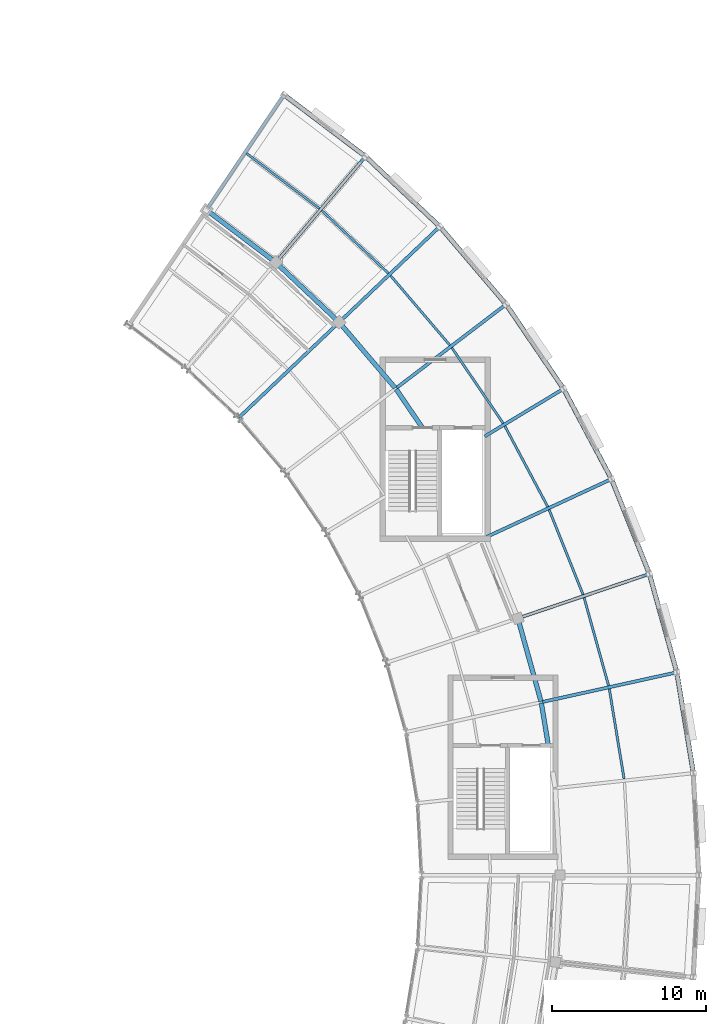
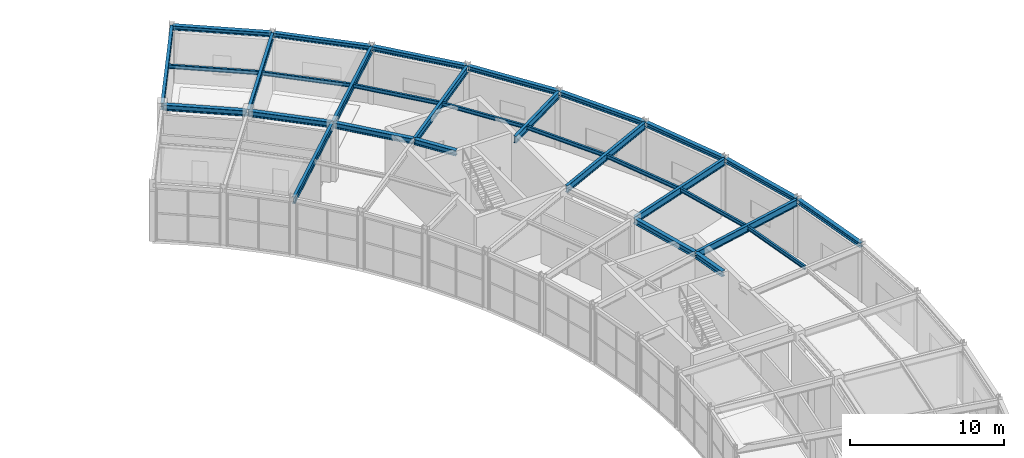
# One storey, part 77 of 108: 31 beams.
"""IFC4 building model written with IfcOpenShell, lengths in metres."""

from ifc_helpers import new_model, si_unit, direction, frame, origin, origin_2d, place, context, subcontext, project, spatial, i_section, extrude, material, material_profile, profile_set, type_object, element, save


model = new_model("IFC4")

# Units and contexts
model_context = context("Model", 3, precision=1e-05, world=origin(), true_north=direction((0.0, 1.0)))
body_context = subcontext(model_context, "Body", "Model", "MODEL_VIEW")
ifc_project = project(units=[si_unit("LENGTHUNIT", "METRE"), si_unit("AREAUNIT", "SQUARE_METRE"), si_unit("VOLUMEUNIT", "CUBIC_METRE"), si_unit("PLANEANGLEUNIT", "RADIAN"), si_unit("MASSUNIT", "GRAM", prefix="KILO")], contexts=[model_context])

# Site, building, storey
site_placement = place(None, origin())
site = spatial("IfcSite", under=ifc_project, at=site_placement, CompositionType="ELEMENT")
building_placement = place(site_placement, origin())
building = spatial("IfcBuilding", under=site, at=building_placement, Name="Tarnveldt Headland Concert Hall", CompositionType="ELEMENT")
storey_placement = place(building_placement, frame((0.0, 0.0, 9.60009765625)))
storey = spatial("IfcBuildingStorey", under=building, at=storey_placement, Name="L02", CompositionType="ELEMENT", Elevation=9.60009765625)

# Beams
ifc_material = material(Name="Steel S355", Category="steel")
ifc_material_profile_1 = material_profile(ifc_material, i_section(OverallWidth=0.300048828125, OverallDepth=0.35009765625, WebThickness=0.010009765625, FlangeThickness=0.017578125, FilletRadius=0.027099609375, at=origin_2d()), Name="HEA360", Category="steel")
ifc_profile_set_1 = profile_set([ifc_material_profile_1], Name="Steel S355")
beam_type_1 = type_object("IfcBeamType", Name="SB-HEA360", PredefinedType="SPANDREL", material=ifc_profile_set_1)
beam_1_placement = place(storey_placement, frame((178.130859375, 66.670654296875, 4.375), z_axis=(-0.162188067735, 0.986759864752, 0.0), x_axis=(-0.986759864752, -0.162188067735, 0.0)))
element("IfcBeam", 1, at=beam_1_placement, inside=storey, type_object=beam_type_1, Name="Framing beam L02-1113", PredefinedType="SPANDREL", context=body_context, shape_type="SweptSolid", body=[
    extrude(i_section(OverallWidth=0.300048828125, OverallDepth=0.35009765625, WebThickness=0.010009765625, FlangeThickness=0.017578125, FilletRadius=0.027099609375, at=origin_2d()), origin(), (0.0, 0.0, 1.0), 6.50146484375),
])
beam_2_placement = place(storey_placement, frame((177.05078125, 73.202880859375, 4.375), z_axis=(-0.268162889674, 0.963373585169, 0.0), x_axis=(-0.963373585169, -0.268162889674, 0.0)))
element("IfcBeam", 2, at=beam_2_placement, inside=storey, type_object=beam_type_1, Name="Framing beam L02-1120", PredefinedType="SPANDREL", context=body_context, shape_type="SweptSolid", body=[
    extrude(i_section(OverallWidth=0.300048828125, OverallDepth=0.35009765625, WebThickness=0.010009765625, FlangeThickness=0.017578125, FilletRadius=0.027099609375, at=origin_2d()), origin(), (0.0, 0.0, 1.0), 6.501220703125),
])
beam_3_placement = place(storey_placement, frame((175.268798828125, 79.57958984375, 4.375), z_axis=(-0.370995678575, 0.928634592549, 0.0), x_axis=(-0.928634592549, -0.370995678575, 0.0)))
element("IfcBeam", 3, at=beam_3_placement, inside=storey, type_object=beam_type_1, Name="Framing beam L02-1127", PredefinedType="SPANDREL", context=body_context, shape_type="SweptSolid", body=[
    extrude(i_section(OverallWidth=0.300048828125, OverallDepth=0.35009765625, WebThickness=0.010009765625, FlangeThickness=0.017578125, FilletRadius=0.027099609375, at=origin_2d()), origin(), (0.0, 0.0, 1.0), 6.5009765625),
])
beam_4_placement = place(storey_placement, frame((172.806396484375, 85.7255859375, 4.375), z_axis=(-0.469455397466, 0.882956187922, 0.0), x_axis=(-0.882956187922, -0.469455397466, 0.0)))
element("IfcBeam", 4, at=beam_4_placement, inside=storey, type_object=beam_type_1, Name="Framing beam L02-1133", PredefinedType="SPANDREL", context=body_context, shape_type="SweptSolid", body=[
    extrude(i_section(OverallWidth=0.300048828125, OverallDepth=0.35009765625, WebThickness=0.010009765625, FlangeThickness=0.017578125, FilletRadius=0.027099609375, at=origin_2d()), origin(), (0.0, 0.0, 1.0), 6.501220703125),
])
for number, where, z_axis, x_axis, name in (
    (5, (169.6923828125, 91.568359375, 4.375), (-0.562406572897, 0.826860838813, 0.0), (-0.826860838813, -0.562406572897, 0.0), "Framing beam L02-1140"),
    (6, (165.96337890625, 97.039306640625, 4.375), (-0.648710643709, 0.761035150791, 0.0), (-0.761035150791, -0.648710643709, 0.0), "Framing beam L02-1147"),
):
    element("IfcBeam", number, at=place(storey_placement, frame(where, z_axis=z_axis, x_axis=x_axis)), inside=storey, type_object=beam_type_1, Name=name, PredefinedType="SPANDREL", context=body_context, shape_type="SweptSolid", body=[
        extrude(i_section(OverallWidth=0.300048828125, OverallDepth=0.35009765625, WebThickness=0.010009765625, FlangeThickness=0.017578125, FilletRadius=0.027099609375, at=origin_2d()), origin(), (0.0, 0.0, 1.0), 6.5009765625),
    ])
beam_5_placement = place(storey_placement, frame((161.66357421875, 102.07373046875, 4.375), z_axis=(-0.727385871825, 0.686228674328, 0.0), x_axis=(-0.686228674328, -0.727385871825, 0.0)))
element("IfcBeam", 7, at=beam_5_placement, inside=storey, type_object=beam_type_1, Name="Framing beam L02-1154", PredefinedType="SPANDREL", context=body_context, shape_type="SweptSolid", body=[
    extrude(i_section(OverallWidth=0.300048828125, OverallDepth=0.35009765625, WebThickness=0.010009765625, FlangeThickness=0.017578125, FilletRadius=0.027099609375, at=origin_2d()), origin(), (0.0, 0.0, 1.0), 6.50146484375),
])
beam_6_placement = place(storey_placement, frame((156.84326171875, 106.612548828125, 4.375), z_axis=(-0.797469381904, 0.603359416041, 0.0), x_axis=(-0.603359416041, -0.797469381904, 0.0)))
element("IfcBeam", 8, at=beam_6_placement, inside=storey, type_object=beam_type_1, Name="Framing beam L02-1161", PredefinedType="SPANDREL", context=body_context, shape_type="SweptSolid", body=[
    extrude(i_section(OverallWidth=0.300048828125, OverallDepth=0.35009765625, WebThickness=0.010009765625, FlangeThickness=0.017578125, FilletRadius=0.027099609375, at=origin_2d()), origin(), (0.0, 0.0, 1.0), 6.501220703125),
])
ifc_material_profile_2 = material_profile(ifc_material, i_section(OverallWidth=0.300048828125, OverallDepth=0.43994140625, WebThickness=0.011474609375, FlangeThickness=0.02099609375, FilletRadius=0.027099609375, at=origin_2d()), Name="HEA450", Category="steel")
ifc_profile_set_2 = profile_set([ifc_material_profile_2], Name="Steel S355")
beam_type_2 = type_object("IfcBeamType", Name="SB-HEA450", PredefinedType="BEAM", material=ifc_profile_set_2)
beam_7_placement = place(storey_placement, frame((168.739501953125, 68.39990234375, 4.329833984375), z_axis=(-0.162179692028, 0.986761241382, 0.0), x_axis=(-0.986761241382, -0.162179692028, 0.0)))
element("IfcBeam", 9, at=beam_7_placement, inside=storey, type_object=beam_type_2, Name="Framing beam L02-1112", PredefinedType="BEAM", context=body_context, shape_type="SweptSolid", body=[
    extrude(i_section(OverallWidth=0.300048828125, OverallDepth=0.43994140625, WebThickness=0.011474609375, FlangeThickness=0.02099609375, FilletRadius=0.027099609375, at=origin_2d()), origin(), (0.0, 0.0, 1.0), 2.783447265625),
])
beam_8_placement = place(storey_placement, frame((168.26220703125, 71.263427734375, 4.329833984375), z_axis=(-0.268165788284, 0.963372778313, 0.0), x_axis=(-0.963372778313, -0.268165788284, 0.0)))
element("IfcBeam", 10, at=beam_8_placement, inside=storey, type_object=beam_type_2, Name="Framing beam L02-1119", PredefinedType="BEAM", context=body_context, shape_type="SweptSolid", body=[
    extrude(i_section(OverallWidth=0.300048828125, OverallDepth=0.43994140625, WebThickness=0.011474609375, FlangeThickness=0.02099609375, FilletRadius=0.027099609375, at=origin_2d()), origin(), (0.0, 0.0, 1.0), 5.5244140625),
])
beam_9_placement = place(storey_placement, frame((160.57080078125, 89.0, 4.329833984375), z_axis=(-0.562434400968, 0.826841910288, 0.0), x_axis=(-0.826841910288, -0.562434400968, 0.0)))
element("IfcBeam", 11, at=beam_9_placement, inside=storey, type_object=beam_type_2, Name="Framing beam L02-1139", PredefinedType="BEAM", context=body_context, shape_type="SweptSolid", body=[
    extrude(i_section(OverallWidth=0.300048828125, OverallDepth=0.43994140625, WebThickness=0.011474609375, FlangeThickness=0.02099609375, FilletRadius=0.027099609375, at=origin_2d()), origin(), (0.0, 0.0, 1.0), 3.00634765625),
])
for number, where, z_axis, x_axis, name in (
    (12, (158.807373046875, 91.581298828125, 4.329833984375), (-0.648725364662, 0.761022602322, 0.0), (-0.761022602322, -0.648725364662, 0.0), "Framing beam L02-1146"),
    (13, (155.14111328125, 95.872314453125, 4.329833984375), (-0.727401560734, 0.686212044081, 0.0), (-0.686212044081, -0.727401560734, 0.0), "Framing beam L02-1153"),
):
    element("IfcBeam", number, at=place(storey_placement, frame(where, z_axis=z_axis, x_axis=x_axis)), inside=storey, type_object=beam_type_2, Name=name, PredefinedType="BEAM", context=body_context, shape_type="SweptSolid", body=[
        extrude(i_section(OverallWidth=0.300048828125, OverallDepth=0.43994140625, WebThickness=0.011474609375, FlangeThickness=0.02099609375, FilletRadius=0.027099609375, at=origin_2d()), origin(), (0.0, 0.0, 1.0), 5.524169921875),
    ])
beam_10_placement = place(storey_placement, frame((151.031494140625, 99.740478515625, 4.329833984375), z_axis=(-0.79747936857, 0.603346216285, 0.0), x_axis=(-0.603346216285, -0.79747936857, 0.0)))
element("IfcBeam", 14, at=beam_10_placement, inside=storey, type_object=beam_type_2, Name="Framing beam L02-1160", PredefinedType="BEAM", context=body_context, shape_type="SweptSolid", body=[
    extrude(i_section(OverallWidth=0.300048828125, OverallDepth=0.43994140625, WebThickness=0.011474609375, FlangeThickness=0.02099609375, FilletRadius=0.027099609375, at=origin_2d()), origin(), (0.0, 0.0, 1.0), 5.524658203125),
])
ifc_material_profile_3 = material_profile(ifc_material, i_section(OverallWidth=0.14990234375, OverallDepth=0.300048828125, WebThickness=0.007080078125, FlangeThickness=0.0107421875, FilletRadius=0.014892578125, at=origin_2d()), Name="IPE300", Category="steel")
ifc_profile_set_3 = profile_set([ifc_material_profile_3], Name="Steel S355")
beam_type_3 = type_object("IfcBeamType", Name="SB-IPE300", PredefinedType="JOIST", material=ifc_profile_set_3)
beam_11_placement = place(storey_placement, frame((173.650146484375, 66.227294921875, 4.39990234375), z_axis=(-0.162159317287, 0.986764589868, 0.0), x_axis=(-0.986764589868, -0.162159317287, 0.0)))
element("IfcBeam", 15, at=beam_11_placement, inside=storey, type_object=beam_type_3, Name="Framing beam L02-1115", PredefinedType="JOIST", context=body_context, shape_type="SweptSolid", body=[
    extrude(i_section(OverallWidth=0.14990234375, OverallDepth=0.300048828125, WebThickness=0.007080078125, FlangeThickness=0.0107421875, FilletRadius=0.014892578125, at=origin_2d()), origin(), (0.0, 0.0, 1.0), 5.9228515625),
])
beam_12_placement = place(storey_placement, frame((172.644287109375, 72.276611328125, 4.39990234375), z_axis=(-0.268143442058, 0.96337899836, 0.0), x_axis=(-0.96337899836, -0.268143442058, 0.0)))
element("IfcBeam", 16, at=beam_12_placement, inside=storey, type_object=beam_type_3, Name="Framing beam L02-1122", PredefinedType="JOIST", context=body_context, shape_type="SweptSolid", body=[
    extrude(i_section(OverallWidth=0.14990234375, OverallDepth=0.300048828125, WebThickness=0.007080078125, FlangeThickness=0.0107421875, FilletRadius=0.014892578125, at=origin_2d()), origin(), (0.0, 0.0, 1.0), 5.922607421875),
])
beam_13_placement = place(storey_placement, frame((170.989013671875, 78.180908203125, 4.39990234375), z_axis=(-0.371013987619, 0.928627277755, 0.0), x_axis=(-0.928627277755, -0.371013987619, 0.0)))
element("IfcBeam", 17, at=beam_13_placement, inside=storey, type_object=beam_type_3, Name="Framing beam L02-1129", PredefinedType="JOIST", context=body_context, shape_type="SweptSolid", body=[
    extrude(i_section(OverallWidth=0.14990234375, OverallDepth=0.300048828125, WebThickness=0.007080078125, FlangeThickness=0.0107421875, FilletRadius=0.014892578125, at=origin_2d()), origin(), (0.0, 0.0, 1.0), 5.923095703125),
])
for number, where, z_axis, x_axis, name in (
    (18, (168.703369140625, 83.871337890625, 4.39990234375), (-0.469496755618, 0.882934197132, 0.0), (-0.882934197132, -0.469496755618, 0.0), "Framing beam L02-1135"),
    (19, (165.814208984375, 89.2802734375, 4.39990234375), (-0.562372031055, 0.826884332109, 0.0), (-0.826884332109, -0.562372031055, 0.0), "Framing beam L02-1142"),
    (20, (162.356201171875, 94.344482421875, 4.39990234375), (-0.648731827873, 0.761017092781, 0.0), (-0.761017092781, -0.648731827873, 0.0), "Framing beam L02-1149"),
):
    element("IfcBeam", number, at=place(storey_placement, frame(where, z_axis=z_axis, x_axis=x_axis)), inside=storey, type_object=beam_type_3, Name=name, PredefinedType="JOIST", context=body_context, shape_type="SweptSolid", body=[
        extrude(i_section(OverallWidth=0.14990234375, OverallDepth=0.300048828125, WebThickness=0.007080078125, FlangeThickness=0.0107421875, FilletRadius=0.014892578125, at=origin_2d()), origin(), (0.0, 0.0, 1.0), 5.9228515625),
    ])
beam_14_placement = place(storey_placement, frame((158.369384765625, 99.00390625, 4.39990234375), z_axis=(-0.727377734645, 0.68623729944, 0.0), x_axis=(-0.68623729944, -0.727377734645, 0.0)))
element("IfcBeam", 21, at=beam_14_placement, inside=storey, type_object=beam_type_3, Name="Framing beam L02-1156", PredefinedType="JOIST", context=body_context, shape_type="SweptSolid", body=[
    extrude(i_section(OverallWidth=0.14990234375, OverallDepth=0.300048828125, WebThickness=0.007080078125, FlangeThickness=0.0107421875, FilletRadius=0.014892578125, at=origin_2d()), origin(), (0.0, 0.0, 1.0), 5.92236328125),
])
beam_15_placement = place(storey_placement, frame((153.9013671875, 103.20361328125, 4.39990234375), z_axis=(-0.797485181363, 0.603338533086, 0.0), x_axis=(-0.603338533086, -0.797485181363, 0.0)))
element("IfcBeam", 22, at=beam_15_placement, inside=storey, type_object=beam_type_3, Name="Framing beam L02-1163", PredefinedType="JOIST", context=body_context, shape_type="SweptSolid", body=[
    extrude(i_section(OverallWidth=0.14990234375, OverallDepth=0.300048828125, WebThickness=0.007080078125, FlangeThickness=0.0107421875, FilletRadius=0.014892578125, at=origin_2d()), origin(), (0.0, 0.0, 1.0), 5.9228515625),
])
ifc_material_profile_4 = material_profile(ifc_material, i_section(OverallWidth=0.2099609375, OverallDepth=0.550048828125, WebThickness=0.010986328125, FlangeThickness=0.01708984375, FilletRadius=0.02392578125, at=origin_2d()), Name="IPE550", Category="steel")
ifc_profile_set_4 = profile_set([ifc_material_profile_4], Name="Steel S355")
beam_type_4 = type_object("IfcBeamType", Name="SB-IPE550", PredefinedType="BEAM", material=ifc_profile_set_4)
for number, where, z_axis, x_axis, name in (
    (23, (168.3369140625, 71.218505859375, 4.27490234375), (0.976505569656, 0.215492163268, 0.0), (-0.215492163268, 0.976505569656, 0.0), "Framing beam L02-1117"),
    (24, (166.8212890625, 76.662353515625, 4.27490234375), (0.947394358085, 0.320068633686, 0.0), (-0.320068633686, 0.947394358085, 0.0), "Framing beam L02-1124"),
    (25, (164.724853515625, 81.909912109375, 4.27490234375), (0.907125568287, 0.420860075749, 0.0), (-0.420860075749, 0.907125568287, 0.0), "Framing beam L02-1131"),
):
    element("IfcBeam", number, at=place(storey_placement, frame(where, z_axis=z_axis, x_axis=x_axis)), inside=storey, type_object=beam_type_4, Name=name, PredefinedType="BEAM", context=body_context, shape_type="SweptSolid", body=[
        extrude(i_section(OverallWidth=0.2099609375, OverallDepth=0.550048828125, WebThickness=0.010986328125, FlangeThickness=0.01708984375, FilletRadius=0.02392578125, at=origin_2d()), origin(), (0.0, 0.0, 1.0), 8.880126953125),
    ])
beam_16_placement = place(storey_placement, frame((164.6201171875, 88.43701171875, 4.27490234375), z_axis=(0.856147288877, 0.516731864461, 0.0), x_axis=(-0.516731864461, 0.856147288877, 0.0)))
element("IfcBeam", 26, at=beam_16_placement, inside=storey, type_object=beam_type_4, Name="Framing beam L02-1137", PredefinedType="BEAM", context=body_context, shape_type="SweptSolid", body=[
    extrude(i_section(OverallWidth=0.2099609375, OverallDepth=0.550048828125, WebThickness=0.010986328125, FlangeThickness=0.01708984375, FilletRadius=0.02392578125, at=origin_2d()), origin(), (0.0, 0.0, 1.0), 5.904052734375),
])
beam_17_placement = place(storey_placement, frame((158.89404296875, 91.572021484375, 4.27490234375), z_axis=(0.795130566959, 0.606438275084, 0.0), x_axis=(-0.606438275084, 0.795130566959, 0.0)))
element("IfcBeam", 27, at=beam_17_placement, inside=storey, type_object=beam_type_4, Name="Framing beam L02-1144", PredefinedType="BEAM", context=body_context, shape_type="SweptSolid", body=[
    extrude(i_section(OverallWidth=0.2099609375, OverallDepth=0.550048828125, WebThickness=0.010986328125, FlangeThickness=0.01708984375, FilletRadius=0.02392578125, at=origin_2d()), origin(), (0.0, 0.0, 1.0), 8.879638671875),
])
for number, where, z_axis, x_axis, name in (
    (28, (148.705810546875, 89.6708984375, 4.27490234375), (0.724698020854, 0.689066599517, 0.0), (-0.689066599517, 0.724698020854, 0.0), "Framing beam L02-1150"),
    (29, (155.228271484375, 95.872314453125, 4.27490234375), (0.724698020854, 0.689066599517, 0.0), (-0.689066599517, 0.724698020854, 0.0), "Framing beam L02-1151"),
):
    element("IfcBeam", number, at=place(storey_placement, frame(where, z_axis=z_axis, x_axis=x_axis)), inside=storey, type_object=beam_type_4, Name=name, PredefinedType="BEAM", context=body_context, shape_type="SweptSolid", body=[
        extrude(i_section(OverallWidth=0.2099609375, OverallDepth=0.550048828125, WebThickness=0.010986328125, FlangeThickness=0.01708984375, FilletRadius=0.02392578125, at=origin_2d()), origin(), (0.0, 0.0, 1.0), 8.8798828125),
    ])
beam_18_placement = place(storey_placement, frame((151.117919921875, 99.750244140625, 4.27490234375), z_axis=(0.645759819996, 0.763540604604, 0.0), x_axis=(-0.763540604604, 0.645759819996, 0.0)))
element("IfcBeam", 30, at=beam_18_placement, inside=storey, type_object=beam_type_4, Name="Framing beam L02-1158", PredefinedType="BEAM", context=body_context, shape_type="SweptSolid", body=[
    extrude(i_section(OverallWidth=0.2099609375, OverallDepth=0.550048828125, WebThickness=0.010986328125, FlangeThickness=0.01708984375, FilletRadius=0.02392578125, at=origin_2d()), origin(), (0.0, 0.0, 1.0), 8.880126953125),
])
beam_19_placement = place(storey_placement, frame((146.611572265625, 103.15966796875, 4.27490234375), z_axis=(0.5591904504, 0.829039227167, 0.0), x_axis=(-0.829039227167, 0.5591904504, 0.0)))
element("IfcBeam", 31, at=beam_19_placement, inside=storey, type_object=beam_type_4, Name="Framing beam L02-1165", PredefinedType="BEAM", context=body_context, shape_type="SweptSolid", body=[
    extrude(i_section(OverallWidth=0.2099609375, OverallDepth=0.550048828125, WebThickness=0.010986328125, FlangeThickness=0.01708984375, FilletRadius=0.02392578125, at=origin_2d()), origin(), (0.0, 0.0, 1.0), 8.8798828125),
])

save(model, "model.ifc")
